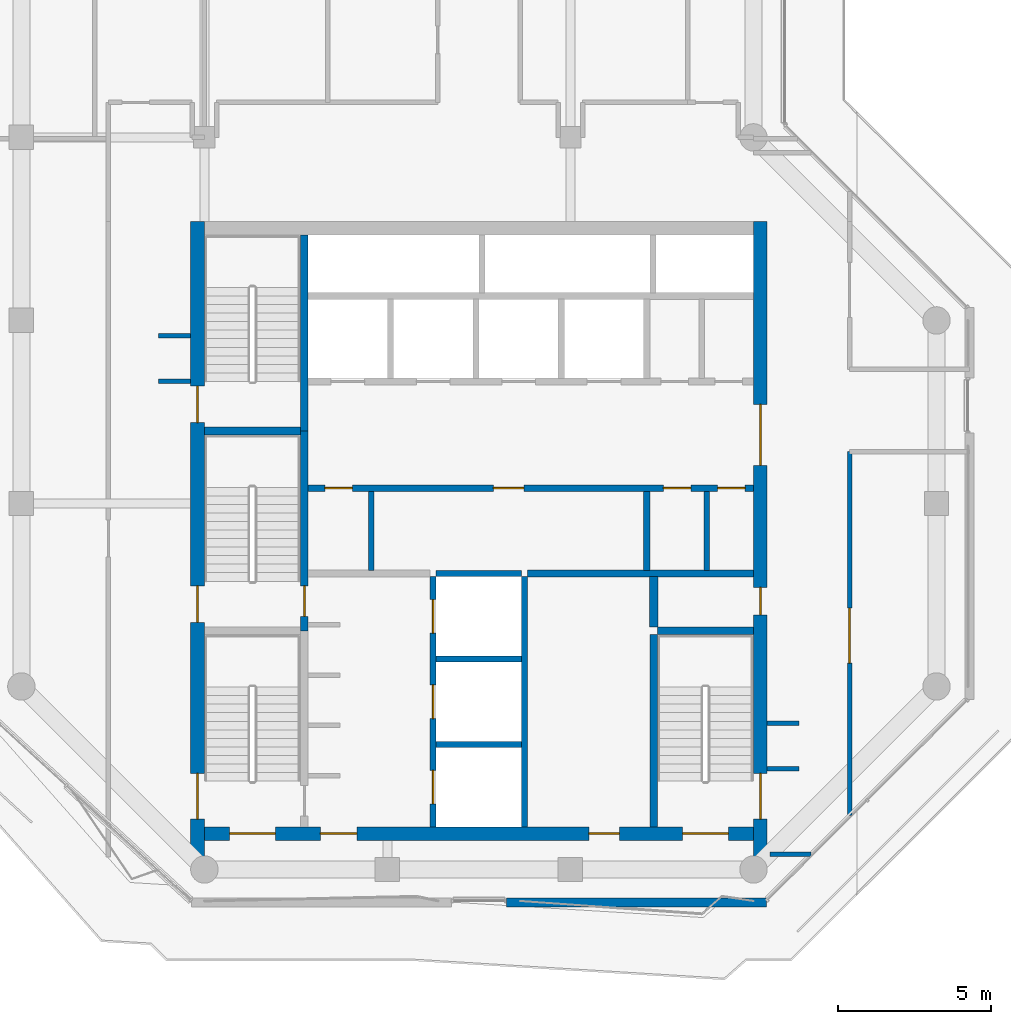
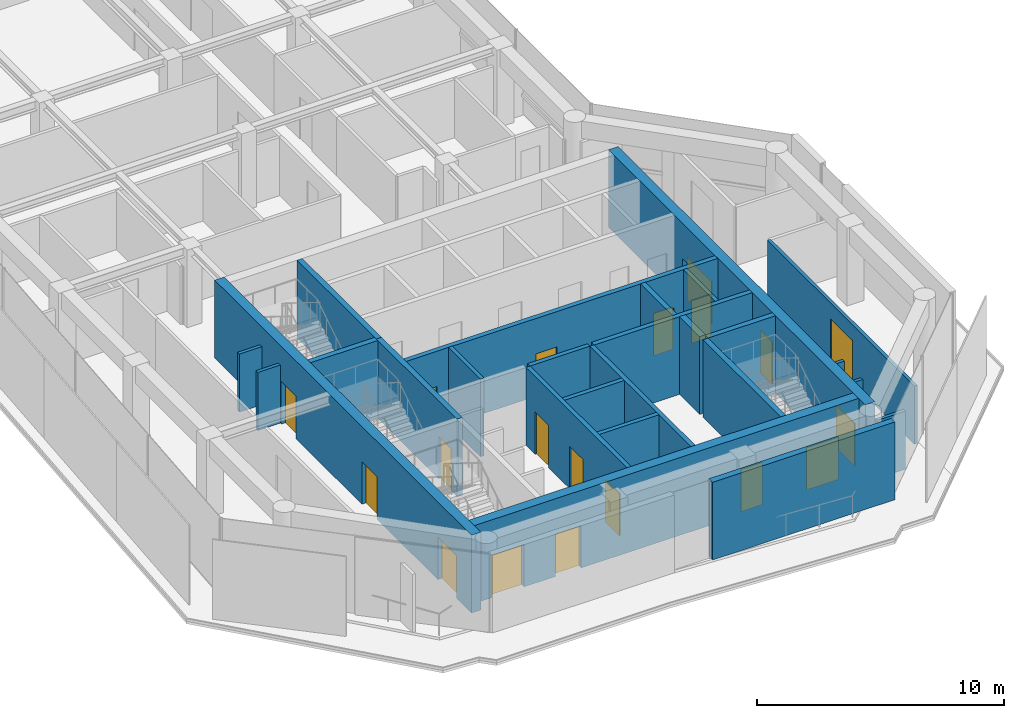
# One storey, part 15 of 19: 26 walls, 19 doors, 19 openings.
"""IFC4 building model written with IfcOpenShell, lengths in metres."""

from ifc_helpers import new_model, si_unit, direction, frame, frame_2d, origin, place, context, subcontext, project, spatial, rectangle, extrude, material, layer, layer_set, type_object, element, fill, save


model = new_model("IFC4")

# Units and contexts
model_context = context("Model", 3, precision=1e-05, world=origin(), true_north=direction((0.0, 1.0)))
body_context = subcontext(model_context, "Body", "Model", "MODEL_VIEW")
ifc_project = project(units=[si_unit("LENGTHUNIT", "METRE"), si_unit("AREAUNIT", "SQUARE_METRE"), si_unit("VOLUMEUNIT", "CUBIC_METRE"), si_unit("PLANEANGLEUNIT", "RADIAN"), si_unit("MASSUNIT", "GRAM", prefix="KILO")], contexts=[model_context])

# Site, building, storey
site_placement = place(None, origin())
site = spatial("IfcSite", under=ifc_project, at=site_placement, CompositionType="ELEMENT")
building_placement = place(site_placement, origin())
building = spatial("IfcBuilding", under=site, at=building_placement, Name="Welwitschia Terrace Campus", CompositionType="ELEMENT")
storey_placement = place(building_placement, frame((0.0, 0.0, 243.199951171875)))
storey = spatial("IfcBuildingStorey", under=building, at=storey_placement, Name="L54", CompositionType="ELEMENT", Elevation=243.199951171875)

# Walls
ifc_material_1 = material(Name="Concrete C32/40", Category="concrete")
ifc_layer_1 = layer(ifc_material_1, 0.175048828125)
ifc_layer_set_1 = layer_set([ifc_layer_1], Name="Concrete C32/40")
wall_type_1 = type_object("IfcWallType", Name="Core partition 175 Concrete C32/40", PredefinedType="PARTITIONING", material=ifc_layer_set_1)
for number, where, z_axis, x_axis, name in (
    (1, (11.47509765625, 13.800048828125, 0.0), (0.0, 0.0, 1.0), (0.0, 1.0, 0.0), "Core partition"),
    (2, (22.469970703125, 13.800048828125, 0.0), (0.0, 0.0, 1.0), (0.0, 1.0, 0.0), "Core partition"),
):
    element("IfcWall", number, at=place(storey_placement, frame(where, z_axis=z_axis, x_axis=x_axis)), inside=storey, type_object=wall_type_1, Name=name, PredefinedType="PARTITIONING", context=body_context, shape_type="SweptSolid", body=[
        extrude(rectangle(XDim=2.599853515625, YDim=0.175048828125, at=frame_2d((1.2998046875, 0.0))), origin(), (0.0, 0.0, 1.0), 3.85009765625),
    ])
ifc_material_2 = material(Name="Concrete C32/40", Category="concrete")
ifc_layer_2 = layer(ifc_material_2, 0.22509765625)
ifc_layer_set_2 = layer_set([ifc_layer_2], Name="Concrete C32/40")
wall_type_2 = type_object("IfcWallType", Name="Core partition 225 Concrete C32/40", PredefinedType="PARTITIONING", material=ifc_layer_set_2)
wall_1_placement = place(storey_placement, frame((16.60009765625, 13.699951171875, 0.0), z_axis=(0.0, 0.0, 1.0), x_axis=(1.0, 0.0, 0.0)))
element("IfcWall", 3, at=wall_1_placement, inside=storey, type_object=wall_type_2, Name="Core partition", PredefinedType="PARTITIONING", context=body_context, shape_type="SweptSolid", body=[
    extrude(rectangle(XDim=7.39990234375, YDim=0.22509765625, at=frame_2d((3.699951171875, 0.0))), origin(), (0.0, 0.0, 1.0), 3.85009765625),
])

# Wall, openings, doors
wall_2_placement = place(storey_placement, frame((9.39990234375, 16.5, 0.0), z_axis=(0.0, 0.0, 1.0), x_axis=(1.0, 0.0, 0.0)))
wall_2 = element("IfcWall", 4, at=wall_2_placement, inside=storey, type_object=wall_type_2, Name="Core partition", PredefinedType="PARTITIONING", context=body_context, shape_type="SweptSolid", body=[
    extrude(rectangle(XDim=14.60009765625, YDim=0.22509765625, at=frame_2d((7.300048828125, 0.0))), origin(), (0.0, 0.0, 1.0), 3.85009765625),
])
opening_1_placement = place(wall_2_placement, frame((0.550048828125, 0.0, 0.0)))
opening_1 = element("IfcOpeningElement", 5, at=opening_1_placement, cuts=wall_2, Name="Opening DR09", PredefinedType="OPENING", context=body_context, shape_type="SweptSolid", body=[
    extrude(rectangle(XDim=0.89990234375, YDim=2.10009765625, at=frame_2d((0.449951171875, 1.050048828125))), frame((0.0, 0.12255859375, 0.0), z_axis=(0.0, -1.0, 0.0), x_axis=(1.0, 0.0, 0.0)), (0.0, 0.0, 1.0), 0.2451171875),
])
opening_2_placement = place(wall_2_placement, frame((6.074951171875, 0.0, 0.0)))
opening_2 = element("IfcOpeningElement", 6, at=opening_2_placement, cuts=wall_2, Name="Opening DR10", PredefinedType="OPENING", context=body_context, shape_type="SweptSolid", body=[
    extrude(rectangle(XDim=1.0, YDim=2.10009765625, at=frame_2d((0.5, 1.050048828125))), frame((0.0, 0.12255859375, 0.0), z_axis=(0.0, -1.0, 0.0), x_axis=(1.0, 0.0, 0.0)), (0.0, 0.0, 1.0), 0.2451171875),
])
opening_3_placement = place(wall_2_placement, frame((11.6474609375, 0.0, 0.0)))
opening_3 = element("IfcOpeningElement", 7, at=opening_3_placement, cuts=wall_2, Name="Opening DR09", PredefinedType="OPENING", context=body_context, shape_type="SweptSolid", body=[
    extrude(rectangle(XDim=0.89990234375, YDim=2.10009765625, at=frame_2d((0.449951171875, 1.050048828125))), frame((0.0, 0.12255859375, 0.0), z_axis=(0.0, -1.0, 0.0), x_axis=(1.0, 0.0, 0.0)), (0.0, 0.0, 1.0), 0.2451171875),
])
opening_4_placement = place(wall_2_placement, frame((13.422607421875, 0.0, 0.0)))
opening_4 = element("IfcOpeningElement", 8, at=opening_4_placement, cuts=wall_2, Name="Opening DR09", PredefinedType="OPENING", context=body_context, shape_type="SweptSolid", body=[
    extrude(rectangle(XDim=0.89990234375, YDim=2.10009765625, at=frame_2d((0.449951171875, 1.050048828125))), frame((0.0, 0.12255859375, 0.0), z_axis=(0.0, -1.0, 0.0), x_axis=(1.0, 0.0, 0.0)), (0.0, 0.0, 1.0), 0.2451171875),
])
ifc_material_3 = material(Name="Steel S275", Category="steel")
door_type_1 = type_object("IfcDoorType", Name="Core door DR09", OperationType="SINGLE_SWING_LEFT", PredefinedType="DOOR", material=ifc_material_3)
door_1_placement = place(opening_1_placement, origin())
door_1 = element("IfcDoor", 9, at=door_1_placement, inside=storey, type_object=door_type_1, Name="Door BAYL1-D", OperationType="SINGLE_SWING_LEFT", OverallHeight=2.10009765625, OverallWidth=0.89990234375, PredefinedType="DOOR", context=body_context, shape_type="SweptSolid", body=[
    extrude(rectangle(XDim=0.89990234375, YDim=2.10009765625, at=frame_2d((0.449951171875, 1.050048828125))), frame((0.0, 0.02490234375, 0.0), z_axis=(0.0, -1.0, 0.0), x_axis=(1.0, 0.0, 0.0)), (0.0, 0.0, 1.0), 0.050048828125),
])
fill(opening_1, door_1)
door_2_placement = place(opening_3_placement, origin())
door_2 = element("IfcDoor", 10, at=door_2_placement, inside=storey, type_object=door_type_1, Name="Door EL1-D", OperationType="SINGLE_SWING_RIGHT", OverallHeight=2.10009765625, OverallWidth=0.89990234375, PredefinedType="DOOR", context=body_context, shape_type="SweptSolid", body=[
    extrude(rectangle(XDim=0.89990234375, YDim=2.10009765625, at=frame_2d((0.449951171875, 1.050048828125))), frame((0.0, 0.02490234375, 0.0), z_axis=(0.0, -1.0, 0.0), x_axis=(1.0, 0.0, 0.0)), (0.0, 0.0, 1.0), 0.050048828125),
])
fill(opening_3, door_2)
door_3_placement = place(opening_4_placement, origin())
door_3 = element("IfcDoor", 11, at=door_3_placement, inside=storey, type_object=door_type_1, Name="Door EL2-D", OperationType="SINGLE_SWING_RIGHT", OverallHeight=2.10009765625, OverallWidth=0.89990234375, PredefinedType="DOOR", context=body_context, shape_type="SweptSolid", body=[
    extrude(rectangle(XDim=0.89990234375, YDim=2.10009765625, at=frame_2d((0.449951171875, 1.050048828125))), frame((0.0, 0.02490234375, 0.0), z_axis=(0.0, -1.0, 0.0), x_axis=(1.0, 0.0, 0.0)), (0.0, 0.0, 1.0), 0.050048828125),
])
fill(opening_4, door_3)
ifc_material_4 = material(Name="Steel S275", Category="steel")
door_type_2 = type_object("IfcDoorType", Name="Core door DR10", OperationType="SINGLE_SWING_LEFT", PredefinedType="DOOR", material=ifc_material_4)
door_4_placement = place(opening_2_placement, origin())
door_4 = element("IfcDoor", 12, at=door_4_placement, inside=storey, type_object=door_type_2, Name="Door BAYL2-D", OperationType="SINGLE_SWING_LEFT", OverallHeight=2.10009765625, OverallWidth=1.0, PredefinedType="DOOR", context=body_context, shape_type="SweptSolid", body=[
    extrude(rectangle(XDim=1.0, YDim=2.10009765625, at=frame_2d((0.5, 1.050048828125))), frame((0.0, 0.02490234375, 0.0), z_axis=(0.0, -1.0, 0.0), x_axis=(1.0, 0.0, 0.0)), (0.0, 0.0, 1.0), 0.050048828125),
])
fill(opening_2, door_4)

# Walls
wall_3_placement = place(storey_placement, frame((20.5, 13.800048828125, 0.0), z_axis=(0.0, 0.0, 1.0), x_axis=(0.0, 1.0, 0.0)))
element("IfcWall", 13, at=wall_3_placement, inside=storey, type_object=wall_type_2, Name="Core partition", PredefinedType="PARTITIONING", context=body_context, shape_type="SweptSolid", body=[
    extrude(rectangle(XDim=2.599853515625, YDim=0.22509765625, at=frame_2d((1.2998046875, 0.0))), origin(), (0.0, 0.0, 1.0), 3.85009765625),
])
ifc_material_5 = material(Name="Concrete C32/40", Category="concrete")
ifc_layer_3 = layer(ifc_material_5, 0.27490234375)
ifc_layer_set_3 = layer_set([ifc_layer_3], Name="Concrete C32/40")
wall_type_3 = type_object("IfcWallType", Name="Core partition 275 Concrete C32/40", PredefinedType="PARTITIONING", material=ifc_layer_set_3)
wall_4_placement = place(storey_placement, frame((20.72509765625, 11.949951171875, 0.0), z_axis=(0.0, 0.0, 1.0), x_axis=(0.0, 1.0, 0.0)))
element("IfcWall", 14, at=wall_4_placement, inside=storey, type_object=wall_type_3, Name="Core partition", PredefinedType="PARTITIONING", context=body_context, shape_type="SweptSolid", body=[
    extrude(rectangle(XDim=1.650146484375, YDim=0.27490234375, at=frame_2d((0.8251953125, 0.0))), origin(), (0.0, 0.0, 1.0), 3.85009765625),
])
ifc_material_6 = material(Name="Concrete C50/60", Category="concrete")
ifc_layer_4 = layer(ifc_material_6, 0.199951171875)
ifc_layer_set_4 = layer_set([ifc_layer_4], Name="Concrete C50/60")
wall_type_4 = type_object("IfcWallType", Name="Core wall 200 Concrete C50/60", PredefinedType="SHEAR", material=ifc_layer_set_4)
for number, where, z_axis, x_axis, name in (
    (15, (13.60009765625, 8.10009765625, 0.0), (0.0, 0.0, 1.0), (1.0, 0.0, 0.0), "Core wall"),
    (16, (13.60009765625, 10.89990234375, 0.0), (0.0, 0.0, 1.0), (1.0, 0.0, 0.0), "Core wall"),
    (17, (13.60009765625, 13.699951171875, 0.0), (0.0, 0.0, 1.0), (1.0, 0.0, 0.0), "Core wall"),
):
    element("IfcWall", number, at=place(storey_placement, frame(where, z_axis=z_axis, x_axis=x_axis)), inside=storey, type_object=wall_type_4, Name=name, PredefinedType="SHEAR", context=body_context, shape_type="SweptSolid", body=[
        extrude(rectangle(XDim=2.7998046875, YDim=0.199951171875, at=frame_2d((1.39990234375, 0.0))), origin(), (0.0, 0.0, 1.0), 3.85009765625),
    ])

# Wall, openings, doors
wall_5_placement = place(storey_placement, frame((13.5, 5.39990234375, 0.0), z_axis=(0.0, 0.0, 1.0), x_axis=(0.0, 1.0, 0.0)))
wall_5 = element("IfcWall", 18, at=wall_5_placement, inside=storey, type_object=wall_type_4, Name="Core wall", PredefinedType="SHEAR", context=body_context, shape_type="SweptSolid", body=[
    extrude(rectangle(XDim=8.2001953125, YDim=0.199951171875, at=frame_2d((4.10009765625, 0.0))), origin(), (0.0, 0.0, 1.0), 3.85009765625),
])
opening_5_placement = place(wall_5_placement, frame((0.75, 0.0, 0.0)))
opening_5 = element("IfcOpeningElement", 19, at=opening_5_placement, cuts=wall_5, Name="Opening LD", PredefinedType="OPENING", context=body_context, shape_type="SweptSolid", body=[
    extrude(rectangle(XDim=1.10009765625, YDim=2.10009765625, at=frame_2d((0.550048828125, 1.050048828125))), frame((0.0, 0.10986328125, 0.0), z_axis=(0.0, -1.0, 0.0), x_axis=(1.0, 0.0, 0.0)), (0.0, 0.0, 1.0), 0.219970703125),
])
opening_6_placement = place(wall_5_placement, frame((3.550048828125, 0.0, 0.0)))
opening_6 = element("IfcOpeningElement", 20, at=opening_6_placement, cuts=wall_5, Name="Opening LD", PredefinedType="OPENING", context=body_context, shape_type="SweptSolid", body=[
    extrude(rectangle(XDim=1.10009765625, YDim=2.10009765625, at=frame_2d((0.550048828125, 1.050048828125))), frame((0.0, 0.10986328125, 0.0), z_axis=(0.0, -1.0, 0.0), x_axis=(1.0, 0.0, 0.0)), (0.0, 0.0, 1.0), 0.219970703125),
])
opening_7_placement = place(wall_5_placement, frame((6.35009765625, 0.0, 0.0)))
opening_7 = element("IfcOpeningElement", 21, at=opening_7_placement, cuts=wall_5, Name="Opening LD", PredefinedType="OPENING", context=body_context, shape_type="SweptSolid", body=[
    extrude(rectangle(XDim=1.10009765625, YDim=2.10009765625, at=frame_2d((0.550048828125, 1.050048828125))), frame((0.0, 0.10986328125, 0.0), z_axis=(0.0, -1.0, 0.0), x_axis=(1.0, 0.0, 0.0)), (0.0, 0.0, 1.0), 0.219970703125),
])
ifc_material_7 = material(Name="Stainless steel 304", Category="steel")
door_type_3 = type_object("IfcDoorType", Name="Lift landing door", OperationType="DOUBLE_DOOR_SLIDING", PredefinedType="DOOR", material=ifc_material_7)
door_5_placement = place(opening_5_placement, origin())
door_5 = element("IfcDoor", 22, at=door_5_placement, inside=storey, type_object=door_type_3, Name="Landing door FF1", OperationType="DOUBLE_DOOR_SLIDING", OverallHeight=2.10009765625, OverallWidth=1.10009765625, PredefinedType="DOOR", context=body_context, shape_type="SweptSolid", body=[
    extrude(rectangle(XDim=1.10009765625, YDim=2.10009765625, at=frame_2d((0.550048828125, 1.050048828125))), frame((0.0, 0.02490234375, 0.0), z_axis=(0.0, -1.0, 0.0), x_axis=(1.0, 0.0, 0.0)), (0.0, 0.0, 1.0), 0.050048828125),
])
fill(opening_5, door_5)
door_6_placement = place(opening_6_placement, origin())
door_6 = element("IfcDoor", 23, at=door_6_placement, inside=storey, type_object=door_type_3, Name="Landing door FF2", OperationType="DOUBLE_DOOR_SLIDING", OverallHeight=2.10009765625, OverallWidth=1.10009765625, PredefinedType="DOOR", context=body_context, shape_type="SweptSolid", body=[
    extrude(rectangle(XDim=1.10009765625, YDim=2.10009765625, at=frame_2d((0.550048828125, 1.050048828125))), frame((0.0, 0.02490234375, 0.0), z_axis=(0.0, -1.0, 0.0), x_axis=(1.0, 0.0, 0.0)), (0.0, 0.0, 1.0), 0.050048828125),
])
fill(opening_6, door_6)
door_7_placement = place(opening_7_placement, origin())
door_7 = element("IfcDoor", 24, at=door_7_placement, inside=storey, type_object=door_type_3, Name="Landing door SV1", OperationType="DOUBLE_DOOR_SLIDING", OverallHeight=2.10009765625, OverallWidth=1.10009765625, PredefinedType="DOOR", context=body_context, shape_type="SweptSolid", body=[
    extrude(rectangle(XDim=1.10009765625, YDim=2.10009765625, at=frame_2d((0.550048828125, 1.050048828125))), frame((0.0, 0.02490234375, 0.0), z_axis=(0.0, -1.0, 0.0), x_axis=(1.0, 0.0, 0.0)), (0.0, 0.0, 1.0), 0.050048828125),
])
fill(opening_7, door_7)

# Walls
wall_6_placement = place(storey_placement, frame((16.5, 5.39990234375, 0.0), z_axis=(0.0, 0.0, 1.0), x_axis=(0.0, 1.0, 0.0)))
element("IfcWall", 25, at=wall_6_placement, inside=storey, type_object=wall_type_4, Name="Core wall", PredefinedType="SHEAR", context=body_context, shape_type="SweptSolid", body=[
    extrude(rectangle(XDim=8.2001953125, YDim=0.199951171875, at=frame_2d((4.10009765625, 0.0))), origin(), (0.0, 0.0, 1.0), 3.85009765625),
])
ifc_material_8 = material(Name="Concrete C50/60", Category="concrete")
ifc_layer_5 = layer(ifc_material_8, 0.25)
ifc_layer_set_5 = layer_set([ifc_layer_5], Name="Concrete C50/60")
wall_type_5 = type_object("IfcWallType", Name="Core wall 250 Concrete C50/60", PredefinedType="SHEAR", material=ifc_layer_set_5)
for number, where, z_axis, x_axis, name in (
    (26, (20.85009765625, 11.824951171875, 0.0), (0.0, 0.0, 1.0), (1.0, 0.0, 0.0), "Core wall"),
    (27, (6.0, 18.375, 0.0), (0.0, 0.0, 1.0), (1.0, 0.0, 0.0), "Core wall"),
):
    element("IfcWall", number, at=place(storey_placement, frame(where, z_axis=z_axis, x_axis=x_axis)), inside=storey, type_object=wall_type_5, Name=name, PredefinedType="SHEAR", context=body_context, shape_type="SweptSolid", body=[
        extrude(rectangle(XDim=3.14990234375, YDim=0.25, at=frame_2d((1.574951171875, 0.0))), origin(), (0.0, 0.0, 1.0), 3.85009765625),
    ])

# Wall, opening, door
wall_7_placement = place(storey_placement, frame((9.27490234375, 18.375, 0.0), z_axis=(0.0, 0.0, 1.0), x_axis=(0.0, -1.0, 0.0)))
wall_7 = element("IfcWall", 28, at=wall_7_placement, inside=storey, type_object=wall_type_5, Name="Core wall", PredefinedType="SHEAR", context=body_context, shape_type="SweptSolid", body=[
    extrude(rectangle(XDim=6.550048828125, YDim=0.25, at=frame_2d((3.27490234375, 0.0))), origin(), (0.0, 0.0, 1.0), 3.85009765625),
])
opening_8_placement = place(wall_7_placement, frame((5.074951171875, 0.0, 0.0)))
opening_8 = element("IfcOpeningElement", 29, at=opening_8_placement, cuts=wall_7, Name="Opening DS10", PredefinedType="OPENING", context=body_context, shape_type="SweptSolid", body=[
    extrude(rectangle(XDim=1.0, YDim=2.10009765625, at=frame_2d((0.5, 1.050048828125))), frame((0.0, 0.135009765625, 0.0), z_axis=(0.0, -1.0, 0.0), x_axis=(1.0, 0.0, 0.0)), (0.0, 0.0, 1.0), 0.27001953125),
])
ifc_material_9 = material(Name="Steel S275", Category="steel")
door_type_4 = type_object("IfcDoorType", Name="Core door DS10", OperationType="SINGLE_SWING_LEFT", PredefinedType="DOOR", material=ifc_material_9)
door_8_placement = place(opening_8_placement, origin())
door_8 = element("IfcDoor", 30, at=door_8_placement, inside=storey, type_object=door_type_4, Name="Door S3-FL", OperationType="SINGLE_SWING_RIGHT", OverallHeight=2.10009765625, OverallWidth=1.0, PredefinedType="DOOR", context=body_context, shape_type="SweptSolid", body=[
    extrude(rectangle(XDim=1.0, YDim=2.10009765625, at=frame_2d((0.5, 1.050048828125))), frame((0.0, 0.02490234375, 0.0), z_axis=(0.0, -1.0, 0.0), x_axis=(1.0, 0.0, 0.0)), (0.0, 0.0, 1.0), 0.050048828125),
])
fill(opening_8, door_8)

# Walls
wall_8_placement = place(storey_placement, frame((9.27490234375, 18.375, 0.0), z_axis=(0.0, 0.0, 1.0), x_axis=(0.0, 1.0, 0.0)))
element("IfcWall", 31, at=wall_8_placement, inside=storey, type_object=wall_type_5, Name="Core wall", PredefinedType="SHEAR", context=body_context, shape_type="SweptSolid", body=[
    extrude(rectangle(XDim=6.425048828125, YDim=0.25, at=frame_2d((3.21240234375, 0.0))), origin(), (0.0, 0.0, 1.0), 3.85009765625),
])
wall_9_placement = place(storey_placement, frame((20.72509765625, 5.39990234375, 0.0), z_axis=(0.0, 0.0, 1.0), x_axis=(0.0, 1.0, 0.0)))
element("IfcWall", 32, at=wall_9_placement, inside=storey, type_object=wall_type_5, Name="Core wall", PredefinedType="SHEAR", context=body_context, shape_type="SweptSolid", body=[
    extrude(rectangle(XDim=6.300048828125, YDim=0.25, at=frame_2d((3.14990234375, 0.0))), origin(), (0.0, 0.0, 1.0), 3.85009765625),
])

# Wall, openings, doors
ifc_material_10 = material(Name="Concrete C60/75", Category="concrete")
ifc_layer_6 = layer(ifc_material_10, 0.449951171875)
ifc_layer_set_6 = layer_set([ifc_layer_6], Name="Concrete C60/75")
wall_type_6 = type_object("IfcWallType", Name="Core wall 450 Concrete C60/75", PredefinedType="SHEAR", material=ifc_layer_set_6)
wall_10_placement = place(storey_placement, frame((5.77490234375, 4.419921875, 0.0), z_axis=(0.0, 0.0, 1.0), x_axis=(0.0, 1.0, 0.0)))
wall_10 = element("IfcWall", 33, at=wall_10_placement, inside=storey, type_object=wall_type_6, Name="Core outer wall", PredefinedType="SHEAR", context=body_context, shape_type="SweptSolid", body=[
    extrude(rectangle(XDim=20.830078125, YDim=0.449951171875, at=frame_2d((10.4150390625, 0.0))), origin(), (0.0, 0.0, 1.0), 3.85009765625),
])
opening_9_placement = place(wall_10_placement, frame((1.22998046875, 0.0, 0.0)))
opening_9 = element("IfcOpeningElement", 34, at=opening_9_placement, cuts=wall_10, Name="Opening DS15", PredefinedType="OPENING", context=body_context, shape_type="SweptSolid", body=[
    extrude(rectangle(XDim=1.5, YDim=2.10009765625, at=frame_2d((0.75, 1.050048828125))), frame((0.0, 0.23486328125, 0.0), z_axis=(0.0, -1.0, 0.0), x_axis=(1.0, 0.0, 0.0)), (0.0, 0.0, 1.0), 0.469970703125),
])
opening_10_placement = place(wall_10_placement, frame((7.679931640625, 0.0, 0.0)))
opening_10 = element("IfcOpeningElement", 35, at=opening_10_placement, cuts=wall_10, Name="Opening DS12", PredefinedType="OPENING", context=body_context, shape_type="SweptSolid", body=[
    extrude(rectangle(XDim=1.199951171875, YDim=2.10009765625, at=frame_2d((0.60009765625, 1.050048828125))), frame((0.0, 0.23486328125, 0.0), z_axis=(0.0, -1.0, 0.0), x_axis=(1.0, 0.0, 0.0)), (0.0, 0.0, 1.0), 0.469970703125),
])
opening_11_placement = place(wall_10_placement, frame((14.22998046875, 0.0, 0.0)))
opening_11 = element("IfcOpeningElement", 36, at=opening_11_placement, cuts=wall_10, Name="Opening DS12", PredefinedType="OPENING", context=body_context, shape_type="SweptSolid", body=[
    extrude(rectangle(XDim=1.199951171875, YDim=2.10009765625, at=frame_2d((0.60009765625, 1.050048828125))), frame((0.0, 0.23486328125, 0.0), z_axis=(0.0, -1.0, 0.0), x_axis=(1.0, 0.0, 0.0)), (0.0, 0.0, 1.0), 0.469970703125),
])
ifc_material_11 = material(Name="Steel S275", Category="steel")
door_type_5 = type_object("IfcDoorType", Name="Core door DS12", OperationType="SINGLE_SWING_LEFT", PredefinedType="DOOR", material=ifc_material_11)
door_9_placement = place(opening_10_placement, origin())
door_9 = element("IfcDoor", 37, at=door_9_placement, inside=storey, type_object=door_type_5, Name="Door S3-out", OperationType="SINGLE_SWING_LEFT", OverallHeight=2.10009765625, OverallWidth=1.199951171875, PredefinedType="DOOR", context=body_context, shape_type="SweptSolid", body=[
    extrude(rectangle(XDim=1.199951171875, YDim=2.10009765625, at=frame_2d((0.60009765625, 1.050048828125))), frame((0.0, 0.02490234375, 0.0), z_axis=(0.0, -1.0, 0.0), x_axis=(1.0, 0.0, 0.0)), (0.0, 0.0, 1.0), 0.050048828125),
])
fill(opening_10, door_9)
door_10_placement = place(opening_11_placement, origin())
door_10 = element("IfcDoor", 38, at=door_10_placement, inside=storey, type_object=door_type_5, Name="Door S4-out", OperationType="SINGLE_SWING_RIGHT", OverallHeight=2.10009765625, OverallWidth=1.199951171875, PredefinedType="DOOR", context=body_context, shape_type="SweptSolid", body=[
    extrude(rectangle(XDim=1.199951171875, YDim=2.10009765625, at=frame_2d((0.60009765625, 1.050048828125))), frame((0.0, 0.02490234375, 0.0), z_axis=(0.0, -1.0, 0.0), x_axis=(1.0, 0.0, 0.0)), (0.0, 0.0, 1.0), 0.050048828125),
])
fill(opening_11, door_10)
ifc_material_12 = material(Name="Steel S275", Category="steel")
door_type_6 = type_object("IfcDoorType", Name="Core door DS15", OperationType="DOUBLE_DOOR_SINGLE_SWING", PredefinedType="DOOR", material=ifc_material_12)
door_11_placement = place(opening_9_placement, origin())
door_11 = element("IfcDoor", 39, at=door_11_placement, inside=storey, type_object=door_type_6, Name="Door S1-out", OperationType="DOUBLE_DOOR_SINGLE_SWING", OverallHeight=2.10009765625, OverallWidth=1.5, PredefinedType="DOOR", context=body_context, shape_type="SweptSolid", body=[
    extrude(rectangle(XDim=1.5, YDim=2.10009765625, at=frame_2d((0.75, 1.050048828125))), frame((0.0, 0.02490234375, 0.0), z_axis=(0.0, -1.0, 0.0), x_axis=(1.0, 0.0, 0.0)), (0.0, 0.0, 1.0), 0.050048828125),
])
fill(opening_9, door_11)

wall_11_placement = place(storey_placement, frame((24.22509765625, 25.25, 0.0), z_axis=(0.0, 0.0, 1.0), x_axis=(0.0, -1.0, 0.0)))
wall_11 = element("IfcWall", 40, at=wall_11_placement, inside=storey, type_object=wall_type_6, Name="Core outer wall", PredefinedType="SHEAR", context=body_context, shape_type="SweptSolid", body=[
    extrude(rectangle(XDim=20.830078125, YDim=0.449951171875, at=frame_2d((10.4150390625, 0.0))), origin(), (0.0, 0.0, 1.0), 3.85009765625),
])
opening_12_placement = place(wall_11_placement, frame((18.10009765625, 0.0, 0.0)))
opening_12 = element("IfcOpeningElement", 41, at=opening_12_placement, cuts=wall_11, Name="Opening DS15", PredefinedType="OPENING", context=body_context, shape_type="SweptSolid", body=[
    extrude(rectangle(XDim=1.5, YDim=2.10009765625, at=frame_2d((0.75, 1.050048828125))), frame((0.0, 0.23486328125, 0.0), z_axis=(0.0, -1.0, 0.0), x_axis=(1.0, 0.0, 0.0)), (0.0, 0.0, 1.0), 0.469970703125),
])
opening_13_placement = place(wall_11_placement, frame((12.0, 0.0, 0.0)))
opening_13 = element("IfcOpeningElement", 42, at=opening_13_placement, cuts=wall_11, Name="Opening DR09", PredefinedType="OPENING", context=body_context, shape_type="SweptSolid", body=[
    extrude(rectangle(XDim=0.89990234375, YDim=2.10009765625, at=frame_2d((0.449951171875, 1.050048828125))), frame((0.0, 0.23486328125, 0.0), z_axis=(0.0, -1.0, 0.0), x_axis=(1.0, 0.0, 0.0)), (0.0, 0.0, 1.0), 0.469970703125),
])
opening_14_placement = place(wall_11_placement, frame((6.0, 0.0, 0.0)))
opening_14 = element("IfcOpeningElement", 43, at=opening_14_placement, cuts=wall_11, Name="Opening DL20", PredefinedType="OPENING", context=body_context, shape_type="SweptSolid", body=[
    extrude(rectangle(XDim=2.0, YDim=2.10009765625, at=frame_2d((1.0, 1.050048828125))), frame((0.0, 0.23486328125, 0.0), z_axis=(0.0, -1.0, 0.0), x_axis=(1.0, 0.0, 0.0)), (0.0, 0.0, 1.0), 0.469970703125),
])
ifc_material_13 = material(Name="Steel S275", Category="steel")
door_type_7 = type_object("IfcDoorType", Name="Core door DL20", OperationType="DOUBLE_DOOR_SINGLE_SWING", PredefinedType="DOOR", material=ifc_material_13)
door_12_placement = place(opening_14_placement, origin())
door_12 = element("IfcDoor", 44, at=door_12_placement, inside=storey, type_object=door_type_7, Name="Door LOBBY-out", OperationType="DOUBLE_DOOR_SINGLE_SWING", OverallHeight=2.10009765625, OverallWidth=2.0, PredefinedType="DOOR", context=body_context, shape_type="SweptSolid", body=[
    extrude(rectangle(XDim=2.0, YDim=2.10009765625, at=frame_2d((1.0, 1.050048828125))), frame((0.0, 0.02490234375, 0.0), z_axis=(0.0, -1.0, 0.0), x_axis=(1.0, 0.0, 0.0)), (0.0, 0.0, 1.0), 0.050048828125),
])
fill(opening_14, door_12)
door_13_placement = place(opening_13_placement, origin())
door_13 = element("IfcDoor", 45, at=door_13_placement, inside=storey, type_object=door_type_1, Name="Door F1B-out", OperationType="SINGLE_SWING_RIGHT", OverallHeight=2.10009765625, OverallWidth=0.89990234375, PredefinedType="DOOR", context=body_context, shape_type="SweptSolid", body=[
    extrude(rectangle(XDim=0.89990234375, YDim=2.10009765625, at=frame_2d((0.449951171875, 1.050048828125))), frame((0.0, 0.02490234375, 0.0), z_axis=(0.0, -1.0, 0.0), x_axis=(1.0, 0.0, 0.0)), (0.0, 0.0, 1.0), 0.050048828125),
])
fill(opening_13, door_13)
door_14_placement = place(opening_12_placement, origin())
door_14 = element("IfcDoor", 46, at=door_14_placement, inside=storey, type_object=door_type_6, Name="Door S2-out", OperationType="DOUBLE_DOOR_SINGLE_SWING", OverallHeight=2.10009765625, OverallWidth=1.5, PredefinedType="DOOR", context=body_context, shape_type="SweptSolid", body=[
    extrude(rectangle(XDim=1.5, YDim=2.10009765625, at=frame_2d((0.75, 1.050048828125))), frame((0.0, 0.02490234375, 0.0), z_axis=(0.0, -1.0, 0.0), x_axis=(1.0, 0.0, 0.0)), (0.0, 0.0, 1.0), 0.050048828125),
])
fill(opening_12, door_14)

wall_12_placement = place(storey_placement, frame((24.0, 5.175048828125, 0.0), z_axis=(0.0, 0.0, 1.0), x_axis=(-1.0, 0.0, 0.0)))
wall_12 = element("IfcWall", 47, at=wall_12_placement, inside=storey, type_object=wall_type_6, Name="Core outer wall", PredefinedType="SHEAR", context=body_context, shape_type="SweptSolid", body=[
    extrude(rectangle(XDim=18.0, YDim=0.449951171875, at=frame_2d((9.0, 0.0))), origin(), (0.0, 0.0, 1.0), 3.85009765625),
])
opening_15_placement = place(wall_12_placement, frame((0.824951171875, 0.0, 0.0)))
opening_15 = element("IfcOpeningElement", 48, at=opening_15_placement, cuts=wall_12, Name="Opening DS15", PredefinedType="OPENING", context=body_context, shape_type="SweptSolid", body=[
    extrude(rectangle(XDim=1.5, YDim=2.10009765625, at=frame_2d((0.75, 1.050048828125))), frame((0.0, 0.23486328125, 0.0), z_axis=(0.0, -1.0, 0.0), x_axis=(1.0, 0.0, 0.0)), (0.0, 0.0, 1.0), 0.469970703125),
])
opening_16_placement = place(wall_12_placement, frame((15.675048828125, 0.0, 0.0)))
opening_16 = element("IfcOpeningElement", 49, at=opening_16_placement, cuts=wall_12, Name="Opening DS15", PredefinedType="OPENING", context=body_context, shape_type="SweptSolid", body=[
    extrude(rectangle(XDim=1.5, YDim=2.10009765625, at=frame_2d((0.75, 1.050048828125))), frame((0.0, 0.23486328125, 0.0), z_axis=(0.0, -1.0, 0.0), x_axis=(1.0, 0.0, 0.0)), (0.0, 0.0, 1.0), 0.469970703125),
])
opening_17_placement = place(wall_12_placement, frame((13.0, 0.0, 0.0)))
opening_17 = element("IfcOpeningElement", 50, at=opening_17_placement, cuts=wall_12, Name="Opening DF12", PredefinedType="OPENING", context=body_context, shape_type="SweptSolid", body=[
    extrude(rectangle(XDim=1.199951171875, YDim=2.10009765625, at=frame_2d((0.60009765625, 1.050048828125))), frame((0.0, 0.23486328125, 0.0), z_axis=(0.0, -1.0, 0.0), x_axis=(1.0, 0.0, 0.0)), (0.0, 0.0, 1.0), 0.469970703125),
])
opening_18_placement = place(wall_12_placement, frame((4.39990234375, 0.0, 0.0)))
opening_18 = element("IfcOpeningElement", 51, at=opening_18_placement, cuts=wall_12, Name="Opening DR10", PredefinedType="OPENING", context=body_context, shape_type="SweptSolid", body=[
    extrude(rectangle(XDim=1.0, YDim=2.10009765625, at=frame_2d((0.5, 1.050048828125))), frame((0.0, 0.23486328125, 0.0), z_axis=(0.0, -1.0, 0.0), x_axis=(1.0, 0.0, 0.0)), (0.0, 0.0, 1.0), 0.469970703125),
])
ifc_material_14 = material(Name="Steel S275", Category="steel")
door_type_8 = type_object("IfcDoorType", Name="Core door DF12", OperationType="SINGLE_SWING_LEFT", PredefinedType="DOOR", material=ifc_material_14)
door_15_placement = place(opening_17_placement, origin())
door_15 = element("IfcDoor", 52, at=door_15_placement, inside=storey, type_object=door_type_8, Name="Door FL-out", OperationType="SINGLE_SWING_RIGHT", OverallHeight=2.10009765625, OverallWidth=1.199951171875, PredefinedType="DOOR", context=body_context, shape_type="SweptSolid", body=[
    extrude(rectangle(XDim=1.199951171875, YDim=2.10009765625, at=frame_2d((0.60009765625, 1.050048828125))), frame((0.0, 0.02490234375, 0.0), z_axis=(0.0, -1.0, 0.0), x_axis=(1.0, 0.0, 0.0)), (0.0, 0.0, 1.0), 0.050048828125),
])
fill(opening_17, door_15)
door_16_placement = place(opening_18_placement, origin())
door_16 = element("IfcDoor", 53, at=door_16_placement, inside=storey, type_object=door_type_2, Name="Door F1-out", OperationType="SINGLE_SWING_LEFT", OverallHeight=2.10009765625, OverallWidth=1.0, PredefinedType="DOOR", context=body_context, shape_type="SweptSolid", body=[
    extrude(rectangle(XDim=1.0, YDim=2.10009765625, at=frame_2d((0.5, 1.050048828125))), frame((0.0, 0.02490234375, 0.0), z_axis=(0.0, -1.0, 0.0), x_axis=(1.0, 0.0, 0.0)), (0.0, 0.0, 1.0), 0.050048828125),
])
fill(opening_18, door_16)
door_17_placement = place(opening_15_placement, origin())
door_17 = element("IfcDoor", 54, at=door_17_placement, inside=storey, type_object=door_type_6, Name="Door S2-outS", OperationType="DOUBLE_DOOR_SINGLE_SWING", OverallHeight=2.10009765625, OverallWidth=1.5, PredefinedType="DOOR", context=body_context, shape_type="SweptSolid", body=[
    extrude(rectangle(XDim=1.5, YDim=2.10009765625, at=frame_2d((0.75, 1.050048828125))), frame((0.0, 0.02490234375, 0.0), z_axis=(0.0, -1.0, 0.0), x_axis=(1.0, 0.0, 0.0)), (0.0, 0.0, 1.0), 0.050048828125),
])
fill(opening_15, door_17)
door_18_placement = place(opening_16_placement, origin())
door_18 = element("IfcDoor", 55, at=door_18_placement, inside=storey, type_object=door_type_6, Name="Door S1-outS", OperationType="DOUBLE_DOOR_SINGLE_SWING", OverallHeight=2.10009765625, OverallWidth=1.5, PredefinedType="DOOR", context=body_context, shape_type="SweptSolid", body=[
    extrude(rectangle(XDim=1.5, YDim=2.10009765625, at=frame_2d((0.75, 1.050048828125))), frame((0.0, 0.02490234375, 0.0), z_axis=(0.0, -1.0, 0.0), x_axis=(1.0, 0.0, 0.0)), (0.0, 0.0, 1.0), 0.050048828125),
])
fill(opening_16, door_18)

# Walls
ifc_material_15 = material(Name="Gypsum board on steel studs", Category="steel")
ifc_layer_7 = layer(ifc_material_15, 0.14990234375)
ifc_layer_set_7 = layer_set([ifc_layer_7], Name="Gypsum board on steel studs")
wall_type_7 = type_object("IfcWallType", Name="Corridor partition 150 EI 30", PredefinedType="PARTITIONING", material=ifc_layer_set_7)
for number, where, z_axis, x_axis, name in (
    (56, (4.5, 20.0, 0.0), (0.0, 0.0, 1.0), (1.0, 0.0, 0.0), "Partition"),
    (57, (4.5, 21.5, 0.0), (0.0, 0.0, 1.0), (1.0, 0.0, 0.0), "Partition"),
    (58, (24.449951171875, 7.300048828125, 0.0), (0.0, 0.0, 1.0), (1.0, 0.0, 0.0), "Partition"),
    (59, (24.449951171875, 8.800048828125, 0.0), (0.0, 0.0, 1.0), (1.0, 0.0, 0.0), "Partition"),
):
    element("IfcWall", number, at=place(storey_placement, frame(where, z_axis=z_axis, x_axis=x_axis)), inside=storey, type_object=wall_type_7, Name=name, PredefinedType="PARTITIONING", context=body_context, shape_type="SweptSolid", body=[
        extrude(rectangle(XDim=1.050048828125, YDim=0.14990234375, at=frame_2d((0.52490234375, 0.0))), origin(), (0.0, 0.0, 1.0), 2.880126953125),
    ])
wall_13_placement = place(storey_placement, frame((24.550048828125, 4.5, 0.0), z_axis=(0.0, 0.0, 1.0), x_axis=(1.0, 0.0, 0.0)))
element("IfcWall", 60, at=wall_13_placement, inside=storey, type_object=wall_type_7, Name="Partition", PredefinedType="PARTITIONING", context=body_context, shape_type="SweptSolid", body=[
    extrude(rectangle(XDim=1.33984375, YDim=0.14990234375, at=frame_2d((0.669921875, 0.0))), origin(), (0.0, 0.0, 1.0), 2.880126953125),
])

# Wall, opening, door
wall_14_placement = place(storey_placement, frame((27.14990234375, 5.77001953125, 0.0), z_axis=(0.0, 0.0, 1.0), x_axis=(0.0, 1.0, 0.0)))
wall_14 = element("IfcWall", 61, at=wall_14_placement, inside=storey, type_object=wall_type_7, Name="Partition", PredefinedType="PARTITIONING", context=body_context, shape_type="SweptSolid", body=[
    extrude(rectangle(XDim=11.929931640625, YDim=0.14990234375, at=frame_2d((5.96484375, 0.0))), origin(), (0.0, 0.0, 1.0), 2.880126953125),
])
opening_19_placement = place(wall_14_placement, frame((5.0, 0.0, 0.0)))
opening_19 = element("IfcOpeningElement", 62, at=opening_19_placement, cuts=wall_14, Name="Opening DI18", PredefinedType="OPENING", context=body_context, shape_type="SweptSolid", body=[
    extrude(rectangle(XDim=1.800048828125, YDim=2.10009765625, at=frame_2d((0.89990234375, 1.050048828125))), frame((0.0, 0.0849609375, 0.0), z_axis=(0.0, -1.0, 0.0), x_axis=(1.0, 0.0, 0.0)), (0.0, 0.0, 1.0), 0.169921875),
])
ifc_material_16 = material(Name="Timber veneered door", Category="wood")
door_type_9 = type_object("IfcDoorType", Name="Interior door DI18", OperationType="DOUBLE_DOOR_SINGLE_SWING", PredefinedType="DOOR", material=ifc_material_16)
door_19_placement = place(opening_19_placement, origin())
door_19 = element("IfcDoor", 63, at=door_19_placement, inside=storey, type_object=door_type_9, Name="Door L54 1000", OperationType="SINGLE_SWING_LEFT", OverallHeight=2.10009765625, OverallWidth=1.800048828125, PredefinedType="DOOR", context=body_context, shape_type="SweptSolid", body=[
    extrude(rectangle(XDim=1.800048828125, YDim=2.10009765625, at=frame_2d((0.89990234375, 1.050048828125))), frame((0.0, 0.02490234375, 0.0), z_axis=(0.0, -1.0, 0.0), x_axis=(1.0, 0.0, 0.0)), (0.0, 0.0, 1.0), 0.050048828125),
])
fill(opening_19, door_19)

# Wall
ifc_material_17 = material(Name="Concrete C40/50", Category="concrete")
ifc_layer_8 = layer(ifc_material_17, 0.300048828125)
ifc_layer_set_8 = layer_set([ifc_layer_8], Name="Concrete C40/50")
wall_type_8 = type_object("IfcWallType", Name="Mass wall 300", PredefinedType="SOLIDWALL", material=ifc_layer_set_8)
wall_15_placement = place(storey_placement, frame((15.89990234375, 2.92041015625, 0.0), z_axis=(0.0, 0.0, 1.0), x_axis=(1.0, 0.0, 0.0)))
element("IfcWall", 64, at=wall_15_placement, inside=storey, type_object=wall_type_8, Name="Mass wall L54.2.1", PredefinedType="SOLIDWALL", context=body_context, shape_type="SweptSolid", body=[
    extrude(rectangle(XDim=8.526611328125, YDim=0.300048828125, at=frame_2d((4.26318359375, 0.0))), origin(), (0.0, 0.0, 1.0), 3.85009765625),
])

save(model, "model.ifc")
